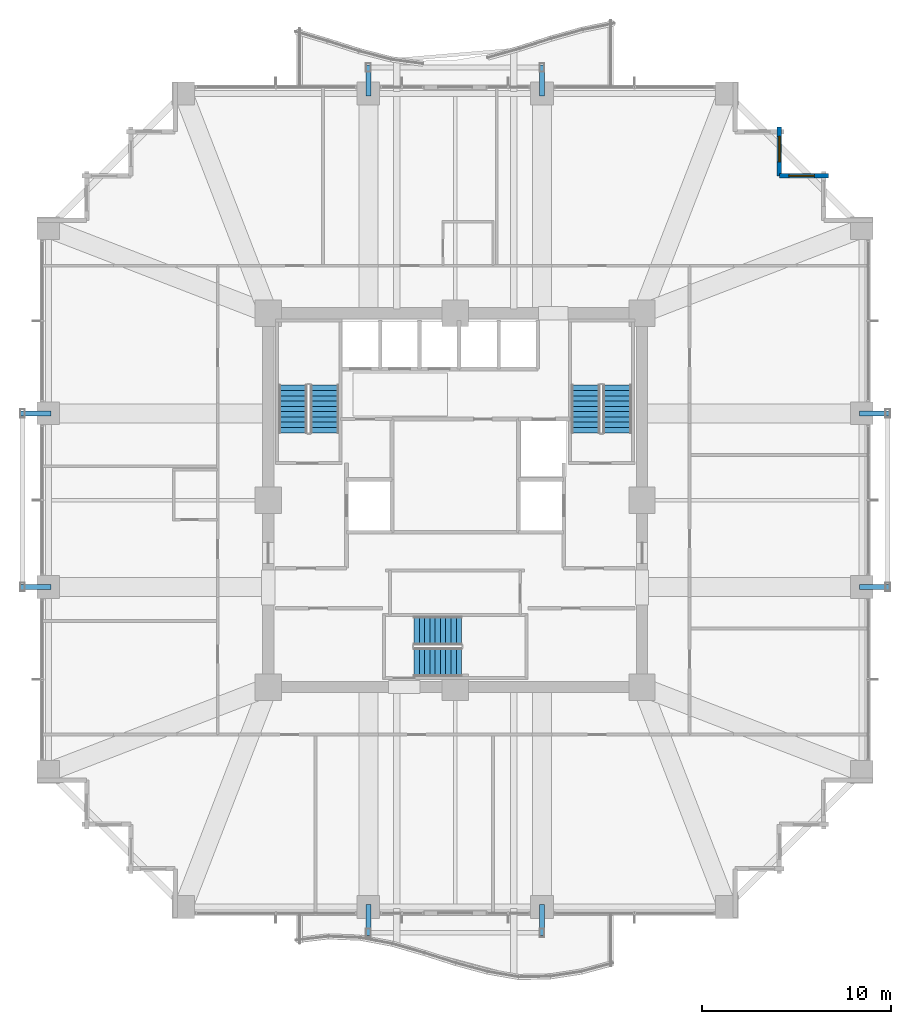
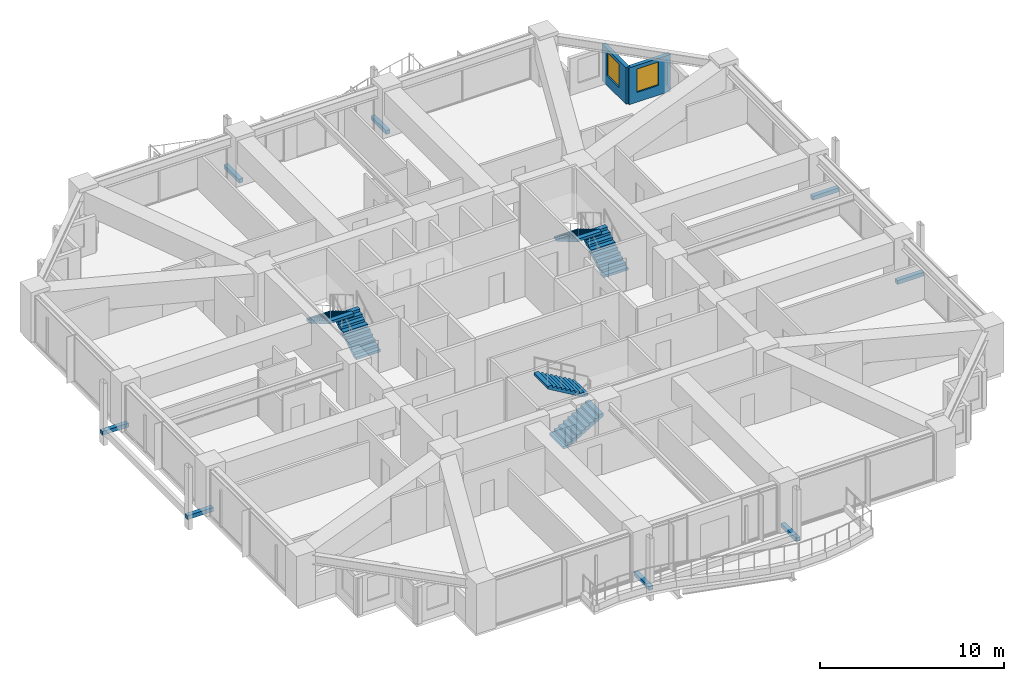
# One storey, part 35 of 37: 8 discrete accessories, 6 stair flights, 2 walls, 2 windows, 2 openings, 3 elements without a shape of their own.
"""IFC4 building model written with IfcOpenShell, lengths in metres."""

from ifc_helpers import new_model, si_unit, direction, frame, frame_2d, origin, origin_2d, place, context, subcontext, project, spatial, polyline, rectangle, outline, extrude, material, layer, layer_set, type_object, element, fill, aggregate, save


model = new_model("IFC4")

# Units and contexts
model_context = context("Model", 3, precision=1e-05, world=origin(), true_north=direction((0.0, 1.0)))
body_context = subcontext(model_context, "Body", "Model", "MODEL_VIEW")
ifc_project = project(units=[si_unit("LENGTHUNIT", "METRE"), si_unit("AREAUNIT", "SQUARE_METRE"), si_unit("VOLUMEUNIT", "CUBIC_METRE"), si_unit("PLANEANGLEUNIT", "RADIAN"), si_unit("MASSUNIT", "GRAM", prefix="KILO")], contexts=[model_context])

# Site, building, storey
site_placement = place(None, origin())
site = spatial("IfcSite", under=ifc_project, at=site_placement, CompositionType="ELEMENT")
building_placement = place(site_placement, origin())
building = spatial("IfcBuilding", under=site, at=building_placement, Name="Kolvaren Belvedere", CompositionType="ELEMENT")
storey_placement = place(building_placement, frame((0.0, 0.0, 43.60009765625)))
storey = spatial("IfcBuildingStorey", under=building, at=storey_placement, Name="L12", CompositionType="ELEMENT", Elevation=43.60009765625)

# Wall, opening, window
ifc_material_1 = material(Name="Insulated pale-metal facade wall assembly", Category="aluminium")
ifc_layer = layer(ifc_material_1, 0.239990234375)
ifc_layer_set = layer_set([ifc_layer], Name="Insulated pale-metal facade wall assembly")
wall_type = type_object("IfcWallType", Name="WL-EXT-240", PredefinedType="STANDARD", material=ifc_layer_set)
wall_1_placement = place(storey_placement, frame((17.179931640625, 17.179931640625, 0.0), z_axis=(0.0, 0.0, 1.0), x_axis=(1.0, 0.0, 0.0)))
wall_1 = element("IfcWall", 1, at=wall_1_placement, inside=storey, type_object=wall_type, Name="L12 Serrated Corner Facade Wall 11", PredefinedType="STANDARD", context=body_context, shape_type="SweptSolid", body=[
    extrude(rectangle(XDim=2.590087890625, YDim=0.239990234375, at=frame_2d((1.294921875, 0.0))), origin(), (0.0, 0.0, 1.0), 2.43896484375),
])
opening_1_placement = place(wall_1_placement, frame((0.5, 0.0, 0.64990234375)))
opening_1 = element("IfcOpeningElement", 2, at=opening_1_placement, cuts=wall_1, Name="Opening W-1350", PredefinedType="OPENING", context=body_context, shape_type="SweptSolid", body=[
    extrude(rectangle(XDim=1.35009765625, YDim=1.550048828125, at=frame_2d((0.675048828125, 0.77490234375))), frame((0.0, 0.1298828125, 0.0), z_axis=(0.0, -1.0, 0.0), x_axis=(1.0, 0.0, 0.0)), (0.0, 0.0, 1.0), 0.260009765625),
])
ifc_material_2 = material(Name="Low-iron triple insulated glass", Category="glass")
window_type = type_object("IfcWindowType", Name="WN-CORN-1350", PartitioningType="SINGLE_PANEL", PredefinedType="WINDOW", material=ifc_material_2)
window_1_placement = place(opening_1_placement, origin())
window_1 = element("IfcWindow", 3, at=window_1_placement, inside=storey, type_object=window_type, Name="L12 Serrated Corner Vision Window 11", OverallHeight=1.550048828125, OverallWidth=1.35009765625, PartitioningType="SINGLE_PANEL", PredefinedType="WINDOW", context=body_context, shape_type="SweptSolid", body=[
    extrude(rectangle(XDim=1.35009765625, YDim=1.550048828125, at=frame_2d((0.675048828125, 0.77490234375))), frame((0.0, 0.030029296875, 0.0), z_axis=(0.0, -1.0, 0.0), x_axis=(1.0, 0.0, 0.0)), (0.0, 0.0, 1.0), 0.06005859375),
])
fill(opening_1, window_1)

wall_2_placement = place(storey_placement, frame((17.179931640625, 19.77001953125, 0.0), z_axis=(0.0, 0.0, 1.0), x_axis=(0.0, -1.0, 0.0)))
wall_2 = element("IfcWall", 4, at=wall_2_placement, inside=storey, type_object=wall_type, Name="L12 Serrated Corner Facade Wall 12", PredefinedType="STANDARD", context=body_context, shape_type="SweptSolid", body=[
    extrude(rectangle(XDim=2.590087890625, YDim=0.239990234375, at=frame_2d((1.294921875, 0.0))), origin(), (0.0, 0.0, 1.0), 2.43896484375),
])
opening_2_placement = place(wall_2_placement, frame((0.5, 0.0, 0.64990234375)))
opening_2 = element("IfcOpeningElement", 5, at=opening_2_placement, cuts=wall_2, Name="Opening W-1350", PredefinedType="OPENING", context=body_context, shape_type="SweptSolid", body=[
    extrude(rectangle(XDim=1.35009765625, YDim=1.550048828125, at=frame_2d((0.675048828125, 0.77490234375))), frame((0.0, 0.1298828125, 0.0), z_axis=(0.0, -1.0, 0.0), x_axis=(1.0, 0.0, 0.0)), (0.0, 0.0, 1.0), 0.260009765625),
])
window_2_placement = place(opening_2_placement, origin())
window_2 = element("IfcWindow", 6, at=window_2_placement, inside=storey, type_object=window_type, Name="L12 Serrated Corner Vision Window 12", OverallHeight=1.550048828125, OverallWidth=1.35009765625, PartitioningType="SINGLE_PANEL", PredefinedType="WINDOW", context=body_context, shape_type="SweptSolid", body=[
    extrude(rectangle(XDim=1.35009765625, YDim=1.550048828125, at=frame_2d((0.675048828125, 0.77490234375))), frame((0.0, 0.030029296875, 0.0), z_axis=(0.0, -1.0, 0.0), x_axis=(1.0, 0.0, 0.0)), (0.0, 0.0, 1.0), 0.06005859375),
])
fill(opening_2, window_2)

# Stair, stair flights
ifc_material_3 = material(Name="Concrete C50/60", Category="concrete")
stair_type = type_object("IfcStairType", Name="ST-CORE-1520", PredefinedType="HALF_TURN_STAIR", material=ifc_material_3)
stair_1_placement = place(storey_placement, origin())
stair_1 = element("IfcStair", 7, at=stair_1_placement, inside=storey, type_object=stair_type, Name="L12 Protected Exit Stair ST-1", PredefinedType="HALF_TURN_STAIR")
ifc_material_4 = material(Name="Concrete C50/60", Category="concrete")
stair_flight_type = type_object("IfcStairFlightType", Name="SF-STR-1520", PredefinedType="STRAIGHT", material=ifc_material_4)
stair_flight_1_placement = place(storey_placement, frame((-6.919921875, 3.570068359375, 0.0), z_axis=(0.0, 0.0, 1.0), x_axis=(0.0, 1.0, 0.0)))
stair_flight_1 = element("IfcStairFlight", 8, at=stair_flight_1_placement, type_object=stair_flight_type, Name="ST-1 flight 1", NumberOfRisers=10, NumberOfTreads=9, PredefinedType="STRAIGHT", RiserHeight=0.165, TreadLength=0.28, context=body_context, shape_type="SweptSolid", body=[
    extrude(outline(polyline([(0.0, 0.0), (0.0, 0.1650390625), (0.280029296875, 0.1650390625), (0.280029296875, 0.330078125), (0.56005859375, 0.330078125), (0.56005859375, 0.4951171875), (0.840087890625, 0.4951171875), (0.840087890625, 0.659912109375), (1.1201171875, 0.659912109375), (1.1201171875, 0.824951171875), (1.39990234375, 0.824951171875), (1.39990234375, 0.989990234375), (1.679931640625, 0.989990234375), (1.679931640625, 1.155029296875), (1.9599609375, 1.155029296875), (1.9599609375, 1.320068359375), (2.239990234375, 1.320068359375), (2.239990234375, 1.485107421875), (2.52001953125, 1.485107421875), (2.52001953125, 1.64990234375), (2.52001953125, 1.31103515625), (0.295166015625, 0.0), (0.0, 0.0)])), frame((0.0, 0.760009765625, 0.0), z_axis=(0.0, -1.0, 0.0), x_axis=(1.0, 0.0, 0.0)), (0.0, 0.0, 1.0), 1.52001953125),
])
stair_flight_2_placement = place(storey_placement, frame((-8.590087890625, 6.090087890625, 1.64990234375), z_axis=(0.0, 0.0, 1.0), x_axis=(0.0, -1.0, 0.0)))
stair_flight_2 = element("IfcStairFlight", 9, at=stair_flight_2_placement, type_object=stair_flight_type, Name="ST-1 flight 2", NumberOfRisers=10, NumberOfTreads=9, PredefinedType="STRAIGHT", RiserHeight=0.165, TreadLength=0.28, context=body_context, shape_type="SweptSolid", body=[
    extrude(outline(polyline([(0.0, 0.0), (0.0, 0.1650390625), (0.280029296875, 0.1650390625), (0.280029296875, 0.330078125), (0.56005859375, 0.330078125), (0.56005859375, 0.4951171875), (0.840087890625, 0.4951171875), (0.840087890625, 0.659912109375), (1.1201171875, 0.659912109375), (1.1201171875, 0.824951171875), (1.39990234375, 0.824951171875), (1.39990234375, 0.989990234375), (1.679931640625, 0.989990234375), (1.679931640625, 1.155029296875), (1.9599609375, 1.155029296875), (1.9599609375, 1.320068359375), (2.239990234375, 1.320068359375), (2.239990234375, 1.485107421875), (2.52001953125, 1.485107421875), (2.52001953125, 1.64990234375), (2.52001953125, 1.31103515625), (0.295166015625, 0.0), (0.0, 0.0)])), frame((0.0, 0.760009765625, 0.0), z_axis=(0.0, -1.0, 0.0), x_axis=(1.0, 0.0, 0.0)), (0.0, 0.0, 1.0), 1.52001953125),
])
aggregate(stair_1, [stair_flight_1, stair_flight_2])

stair_2_placement = place(storey_placement, origin())
stair_2 = element("IfcStair", 10, at=stair_2_placement, inside=storey, type_object=stair_type, Name="L12 Protected Exit Stair ST-2", PredefinedType="HALF_TURN_STAIR")
stair_flight_3_placement = place(storey_placement, frame((8.590087890625, 3.570068359375, 0.0), z_axis=(0.0, 0.0, 1.0), x_axis=(0.0, 1.0, 0.0)))
stair_flight_3 = element("IfcStairFlight", 11, at=stair_flight_3_placement, type_object=stair_flight_type, Name="ST-2 flight 1", NumberOfRisers=10, NumberOfTreads=9, PredefinedType="STRAIGHT", RiserHeight=0.165, TreadLength=0.28, context=body_context, shape_type="SweptSolid", body=[
    extrude(outline(polyline([(0.0, 0.0), (0.0, 0.1650390625), (0.280029296875, 0.1650390625), (0.280029296875, 0.330078125), (0.56005859375, 0.330078125), (0.56005859375, 0.4951171875), (0.840087890625, 0.4951171875), (0.840087890625, 0.659912109375), (1.1201171875, 0.659912109375), (1.1201171875, 0.824951171875), (1.39990234375, 0.824951171875), (1.39990234375, 0.989990234375), (1.679931640625, 0.989990234375), (1.679931640625, 1.155029296875), (1.9599609375, 1.155029296875), (1.9599609375, 1.320068359375), (2.239990234375, 1.320068359375), (2.239990234375, 1.485107421875), (2.52001953125, 1.485107421875), (2.52001953125, 1.64990234375), (2.52001953125, 1.31103515625), (0.295166015625, 0.0), (0.0, 0.0)])), frame((0.0, 0.760009765625, 0.0), z_axis=(0.0, -1.0, 0.0), x_axis=(1.0, 0.0, 0.0)), (0.0, 0.0, 1.0), 1.52001953125),
])
stair_flight_4_placement = place(storey_placement, frame((6.919921875, 6.090087890625, 1.64990234375), z_axis=(0.0, 0.0, 1.0), x_axis=(0.0, -1.0, 0.0)))
stair_flight_4 = element("IfcStairFlight", 12, at=stair_flight_4_placement, type_object=stair_flight_type, Name="ST-2 flight 2", NumberOfRisers=10, NumberOfTreads=9, PredefinedType="STRAIGHT", RiserHeight=0.165, TreadLength=0.28, context=body_context, shape_type="SweptSolid", body=[
    extrude(outline(polyline([(0.0, 0.0), (0.0, 0.1650390625), (0.280029296875, 0.1650390625), (0.280029296875, 0.330078125), (0.56005859375, 0.330078125), (0.56005859375, 0.4951171875), (0.840087890625, 0.4951171875), (0.840087890625, 0.659912109375), (1.1201171875, 0.659912109375), (1.1201171875, 0.824951171875), (1.39990234375, 0.824951171875), (1.39990234375, 0.989990234375), (1.679931640625, 0.989990234375), (1.679931640625, 1.155029296875), (1.9599609375, 1.155029296875), (1.9599609375, 1.320068359375), (2.239990234375, 1.320068359375), (2.239990234375, 1.485107421875), (2.52001953125, 1.485107421875), (2.52001953125, 1.64990234375), (2.52001953125, 1.31103515625), (0.295166015625, 0.0), (0.0, 0.0)])), frame((0.0, 0.760009765625, 0.0), z_axis=(0.0, -1.0, 0.0), x_axis=(1.0, 0.0, 0.0)), (0.0, 0.0, 1.0), 1.52001953125),
])
aggregate(stair_2, [stair_flight_3, stair_flight_4])

stair_3_placement = place(storey_placement, origin())
stair_3 = element("IfcStair", 13, at=stair_3_placement, inside=storey, type_object=stair_type, Name="L12 Protected Exit Stair ST-3", PredefinedType="HALF_TURN_STAIR")
stair_flight_5_placement = place(storey_placement, frame((-2.179931640625, -8.590087890625, 0.0), z_axis=(0.0, 0.0, 1.0), x_axis=(1.0, 0.0, 0.0)))
stair_flight_5 = element("IfcStairFlight", 14, at=stair_flight_5_placement, type_object=stair_flight_type, Name="ST-3 flight 1", NumberOfRisers=10, NumberOfTreads=9, PredefinedType="STRAIGHT", RiserHeight=0.165, TreadLength=0.28, context=body_context, shape_type="SweptSolid", body=[
    extrude(outline(polyline([(0.0, 0.0), (0.0, 0.1650390625), (0.280029296875, 0.1650390625), (0.280029296875, 0.330078125), (0.56005859375, 0.330078125), (0.56005859375, 0.4951171875), (0.840087890625, 0.4951171875), (0.840087890625, 0.659912109375), (1.1201171875, 0.659912109375), (1.1201171875, 0.824951171875), (1.39990234375, 0.824951171875), (1.39990234375, 0.989990234375), (1.679931640625, 0.989990234375), (1.679931640625, 1.155029296875), (1.9599609375, 1.155029296875), (1.9599609375, 1.320068359375), (2.239990234375, 1.320068359375), (2.239990234375, 1.485107421875), (2.52001953125, 1.485107421875), (2.52001953125, 1.64990234375), (2.52001953125, 1.31103515625), (0.295166015625, 0.0), (0.0, 0.0)])), frame((0.0, 0.760009765625, 0.0), z_axis=(0.0, -1.0, 0.0), x_axis=(1.0, 0.0, 0.0)), (0.0, 0.0, 1.0), 1.52001953125),
])
stair_flight_6_placement = place(storey_placement, frame((0.340087890625, -6.919921875, 1.64990234375), z_axis=(0.0, 0.0, 1.0), x_axis=(-1.0, 0.0, 0.0)))
stair_flight_6 = element("IfcStairFlight", 15, at=stair_flight_6_placement, type_object=stair_flight_type, Name="ST-3 flight 2", NumberOfRisers=10, NumberOfTreads=9, PredefinedType="STRAIGHT", RiserHeight=0.165, TreadLength=0.28, context=body_context, shape_type="SweptSolid", body=[
    extrude(outline(polyline([(0.0, 0.0), (0.0, 0.1650390625), (0.280029296875, 0.1650390625), (0.280029296875, 0.330078125), (0.56005859375, 0.330078125), (0.56005859375, 0.4951171875), (0.840087890625, 0.4951171875), (0.840087890625, 0.659912109375), (1.1201171875, 0.659912109375), (1.1201171875, 0.824951171875), (1.39990234375, 0.824951171875), (1.39990234375, 0.989990234375), (1.679931640625, 0.989990234375), (1.679931640625, 1.155029296875), (1.9599609375, 1.155029296875), (1.9599609375, 1.320068359375), (2.239990234375, 1.320068359375), (2.239990234375, 1.485107421875), (2.52001953125, 1.485107421875), (2.52001953125, 1.64990234375), (2.52001953125, 1.31103515625), (0.295166015625, 0.0), (0.0, 0.0)])), frame((0.0, 0.760009765625, 0.0), z_axis=(0.0, -1.0, 0.0), x_axis=(1.0, 0.0, 0.0)), (0.0, 0.0, 1.0), 1.52001953125),
])
aggregate(stair_3, [stair_flight_5, stair_flight_6])

# Discrete accessories
ifc_material_5 = material(Name="Structural steel ASTM A572 Grade 50", Category="steel")
discrete_accessory_type = type_object("IfcDiscreteAccessoryType", Name="BRK-1 Steel Facade Support Bracket", PredefinedType="BRACKET", material=ifc_material_5)
for number, where, z_axis, x_axis, name in (
    (16, (-4.60009765625, 22.235107421875, -0.169921875), (0.0, 0.0, 1.0), (0.0, 1.0, 0.0), "L12 Picture-Frame Outrigger Cleat Bracket N1"),
    (17, (4.60009765625, 22.235107421875, -0.169921875), (0.0, 0.0, 1.0), (0.0, 1.0, 0.0), "L12 Picture-Frame Outrigger Cleat Bracket N2"),
    (18, (4.60009765625, -22.235107421875, -0.169921875), (0.0, 0.0, 1.0), (0.0, 1.0, 0.0), "L12 Picture-Frame Outrigger Cleat Bracket S1"),
    (19, (-4.60009765625, -22.235107421875, -0.169921875), (0.0, 0.0, 1.0), (0.0, 1.0, 0.0), "L12 Picture-Frame Outrigger Cleat Bracket S2"),
    (20, (22.235107421875, 4.60009765625, -0.169921875), (0.0, 0.0, 1.0), (1.0, 0.0, 0.0), "L12 Picture-Frame Outrigger Cleat Bracket E1"),
    (21, (22.235107421875, -4.60009765625, -0.169921875), (0.0, 0.0, 1.0), (1.0, 0.0, 0.0), "L12 Picture-Frame Outrigger Cleat Bracket E2"),
    (22, (-22.235107421875, -4.60009765625, -0.169921875), (0.0, 0.0, 1.0), (1.0, 0.0, 0.0), "L12 Picture-Frame Outrigger Cleat Bracket W1"),
    (23, (-22.235107421875, 4.60009765625, -0.169921875), (0.0, 0.0, 1.0), (1.0, 0.0, 0.0), "L12 Picture-Frame Outrigger Cleat Bracket W2"),
):
    element("IfcDiscreteAccessory", number, at=place(storey_placement, frame(where, z_axis=z_axis, x_axis=x_axis)), inside=storey, type_object=discrete_accessory_type, Name=name, PredefinedType="BRACKET", context=body_context, shape_type="SweptSolid", body=[
        extrude(rectangle(XDim=1.639892578125, YDim=0.260009765625, at=origin_2d()), origin(), (0.0, 0.0, 1.0), 0.260009765625),
    ])

save(model, "model.ifc")
